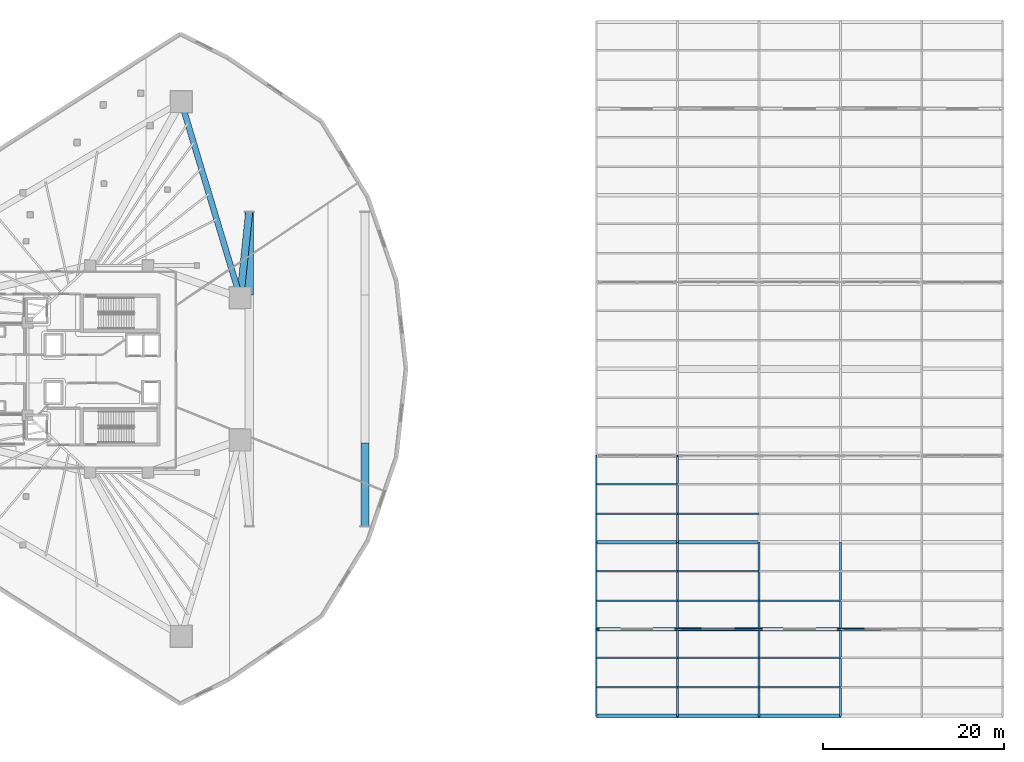
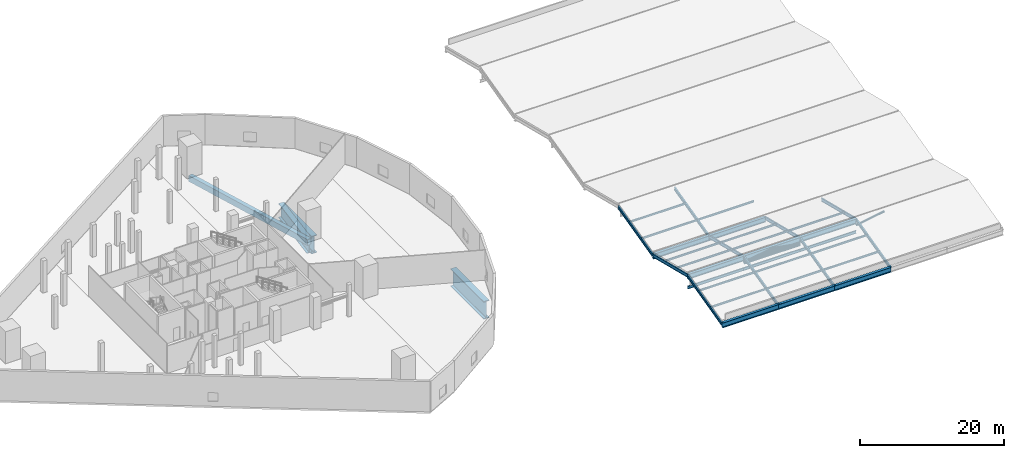
# One storey, part 2 of 36: 28 members, 15 beams.
"""IFC4 building model written with IfcOpenShell, lengths in metres."""

from ifc_helpers import new_model, si_unit, direction, frame, origin, origin_2d, place, context, subcontext, project, spatial, rectangle, hollow_circle, i_section, extrude, material, material_profile, profile_set, type_object, element, save


model = new_model("IFC4")

# Units and contexts
model_context = context("Model", 3, precision=1e-05, world=origin(), true_north=direction((0.0, 1.0)))
body_context = subcontext(model_context, "Body", "Model", "MODEL_VIEW")
ifc_project = project(units=[si_unit("LENGTHUNIT", "METRE"), si_unit("AREAUNIT", "SQUARE_METRE"), si_unit("VOLUMEUNIT", "CUBIC_METRE"), si_unit("PLANEANGLEUNIT", "RADIAN"), si_unit("MASSUNIT", "GRAM", prefix="KILO")], contexts=[model_context])

# Site, building, storey
site_placement = place(None, origin())
site = spatial("IfcSite", under=ifc_project, at=site_placement, CompositionType="ELEMENT")
building_placement = place(site_placement, origin())
building = spatial("IfcBuilding", under=site, at=building_placement, Name="Qorvath Tower", CompositionType="ELEMENT")
storey_placement = place(building_placement, frame((0.0, 0.0, 27.0)))
storey = spatial("IfcBuildingStorey", under=building, at=storey_placement, Name="L05", CompositionType="ELEMENT", Elevation=27.0)

# Beams
ifc_material_1 = material(Name="Steel ASTM A992 Grade 50", Category="steel")
ifc_material_profile_1 = material_profile(ifc_material_1, i_section(OverallWidth=0.39892578125, OverallDepth=0.85498046875, WebThickness=0.018310546875, FlangeThickness=0.029296875, FilletRadius=0.02001953125, at=origin_2d()), Name="W33x201")
ifc_profile_set_1 = profile_set([ifc_material_profile_1], Name="Steel ASTM A992 Grade 50")
beam_type_1 = type_object("IfcBeamType", Name="BM-FG2", PredefinedType="BEAM", material=ifc_profile_set_1)
for number, where, z_axis, x_axis, name in (
    (1, (32.39990234375, -38.39990234375, -0.7275390625), (1.0, 0.0, 0.0), (0.0, 1.0, 0.0), "Library Roof Fold Line Girder 1-1"),
    (2, (41.39990234375, -38.39990234375, -0.7275390625), (1.0, 0.0, 0.0), (0.0, 1.0, 0.0), "Library Roof Fold Line Girder 1-2"),
    (3, (50.39990234375, -38.39990234375, -0.7275390625), (1.0, 0.0, 0.0), (0.0, 1.0, 0.0), "Library Roof Fold Line Girder 1-3"),
    (4, (32.39990234375, -28.800048828125, 1.666015625), (1.0, 0.0, 0.0), (0.0, 1.0, 0.0), "Library Roof Fold Line Girder 2-1"),
    (5, (41.39990234375, -28.800048828125, 1.666015625), (1.0, 0.0, 0.0), (0.0, 1.0, 0.0), "Library Roof Fold Line Girder 2-2"),
    (6, (50.39990234375, -28.800048828125, 1.666015625), (1.0, 0.0, 0.0), (0.0, 1.0, 0.0), "Library Roof Fold Line Girder 2-3"),
    (7, (32.39990234375, -19.199951171875, -0.7275390625), (1.0, 0.0, 0.0), (0.0, 1.0, 0.0), "Library Roof Fold Line Girder 3-1"),
    (8, (41.39990234375, -19.199951171875, -0.7275390625), (1.0, 0.0, 0.0), (0.0, 1.0, 0.0), "Library Roof Fold Line Girder 3-2"),
):
    element("IfcBeam", number, at=place(storey_placement, frame(where, z_axis=z_axis, x_axis=x_axis)), inside=storey, type_object=beam_type_1, Name=name, PredefinedType="BEAM", context=body_context, shape_type="SweptSolid", body=[
        extrude(i_section(OverallWidth=0.39892578125, OverallDepth=0.85498046875, WebThickness=0.018310546875, FlangeThickness=0.029296875, FilletRadius=0.02001953125, at=origin_2d()), origin(), (0.0, 0.0, 1.0), 9.0),
    ])
ifc_material_2 = material(Name="Steel ASTM A992 Grade 50", Category="steel")
ifc_material_profile_2 = material_profile(ifc_material_2, i_section(OverallWidth=0.18994140625, OverallDepth=0.45703125, WebThickness=0.009033203125, FlangeThickness=0.014404296875, FilletRadius=0.011962890625, at=origin_2d()), Name="W18x50")
ifc_profile_set_2 = profile_set([ifc_material_profile_2], Name="Steel ASTM A992 Grade 50")
beam_type_2 = type_object("IfcBeamType", Name="BM-FJ2", PredefinedType="JOIST", material=ifc_profile_set_2)
for number, where, z_axis, x_axis, name in (
    (9, (32.39990234375, -28.800048828125, -0.228515625), (1.0, 0.0, 0.0), (0.0, 1.0, 0.0), "Library Clerestory Monitor Sill Beam 2-1"),
    (10, (41.39990234375, -28.800048828125, -0.228515625), (1.0, 0.0, 0.0), (0.0, 1.0, 0.0), "Library Clerestory Monitor Sill Beam 2-2"),
    (11, (50.39990234375, -28.800048828125, -0.228515625), (1.0, 0.0, 0.0), (0.0, 1.0, 0.0), "Library Clerestory Monitor Sill Beam 2-3"),
):
    element("IfcBeam", number, at=place(storey_placement, frame(where, z_axis=z_axis, x_axis=x_axis)), inside=storey, type_object=beam_type_2, Name=name, PredefinedType="JOIST", context=body_context, shape_type="SweptSolid", body=[
        extrude(i_section(OverallWidth=0.18994140625, OverallDepth=0.45703125, WebThickness=0.009033203125, FlangeThickness=0.014404296875, FilletRadius=0.011962890625, at=origin_2d()), origin(), (0.0, 0.0, 1.0), 9.0),
    ])
ifc_material_3 = material(Name="Concrete C50/60", Category="concrete")
ifc_material_profile_3 = material_profile(ifc_material_3, rectangle(XDim=0.64990234375, YDim=1.0, at=origin_2d()), Name="RCB 1000x650")
ifc_profile_set_3 = profile_set([ifc_material_profile_3], Name="Concrete C50/60")
beam_type_3 = type_object("IfcBeamType", Name="BM-RCB1", PredefinedType="SPANDREL", material=ifc_profile_set_3)
beam_1_placement = place(storey_placement, frame((-6.991943359375, 7.8720703125, -0.919921875), z_axis=(-0.288127782888, 0.957591969854, 0.0), x_axis=(-0.957591969854, -0.288127782888, 0.0)))
element("IfcBeam", 12, at=beam_1_placement, inside=storey, type_object=beam_type_3, Name="Perimeter Loggia Frame Beam MC5-MC6 L05", PredefinedType="SPANDREL", context=body_context, shape_type="SweptSolid", body=[
    extrude(rectangle(XDim=0.64990234375, YDim=1.0, at=origin_2d()), origin(), (0.0, 0.0, 1.0), 22.656982421875),
])
ifc_material_4 = material(Name="Steel ASTM A572 Grade 42", Category="steel")
ifc_material_profile_4 = material_profile(ifc_material_4, i_section(OverallWidth=0.89990234375, OverallDepth=3.0, WebThickness=0.06005859375, FlangeThickness=0.1201171875, FilletRadius=0.030029296875, at=origin_2d()), Name="WTG 3000x900")
ifc_profile_set_4 = profile_set([ifc_material_profile_4], Name="Steel ASTM A572 Grade 42")
beam_type_4 = type_object("IfcBeamType", Name="BM-TG1", PredefinedType="BEAM", material=ifc_profile_set_4)
for number, where, z_axis, x_axis, name in (
    (13, (6.800048828125, -17.39990234375, -1.919921875), (0.0, 1.0, 0.0), (-1.0, 0.0, 0.0), "L05 Arch Transfer Girder FRONT-1"),
    (14, (-6.0, 8.199951171875, -1.919921875), (0.0, 1.0, 0.0), (-1.0, 0.0, 0.0), "L05 Arch Transfer Girder INNER-3"),
):
    element("IfcBeam", number, at=place(storey_placement, frame(where, z_axis=z_axis, x_axis=x_axis)), inside=storey, type_object=beam_type_4, Name=name, PredefinedType="BEAM", context=body_context, shape_type="SweptSolid", body=[
        extrude(i_section(OverallWidth=0.89990234375, OverallDepth=3.0, WebThickness=0.06005859375, FlangeThickness=0.1201171875, FilletRadius=0.030029296875, at=origin_2d()), origin(), (0.0, 0.0, 1.0), 9.199951171875),
    ])
ifc_material_5 = material(Name="Steel ASTM A572 Grade 50", Category="steel")
ifc_material_profile_5 = material_profile(ifc_material_5, i_section(OverallWidth=0.800048828125, OverallDepth=2.39990234375, WebThickness=0.044921875, FlangeThickness=0.090087890625, FilletRadius=0.02490234375, at=origin_2d()), Name="WTG 2400x800")
ifc_profile_set_5 = profile_set([ifc_material_profile_5], Name="Steel ASTM A572 Grade 50")
beam_type_5 = type_object("IfcBeamType", Name="BM-TG2", PredefinedType="BEAM", material=ifc_profile_set_5)
beam_2_placement = place(storey_placement, frame((-6.0, 17.39990234375, -1.619873046875), z_axis=(-0.103550406229, -0.99462420711, 0.0), x_axis=(0.99462420711, -0.103550406229, 0.0)))
element("IfcBeam", 15, at=beam_2_placement, inside=storey, type_object=beam_type_5, Name="Zone Step Transfer Tie MC5 L05", PredefinedType="BEAM", context=body_context, shape_type="SweptSolid", body=[
    extrude(i_section(OverallWidth=0.800048828125, OverallDepth=2.39990234375, WebThickness=0.044921875, FlangeThickness=0.090087890625, FilletRadius=0.02490234375, at=origin_2d()), origin(), (0.0, 0.0, 1.0), 9.579345703125),
])

# Members
ifc_material_6 = material(Name="Steel ASTM A913 Grade 65", Category="steel")
ifc_material_profile_6 = material_profile(ifc_material_6, i_section(OverallWidth=0.4189453125, OverallDepth=0.455078125, WebThickness=0.0419921875, FlangeThickness=0.067626953125, FilletRadius=0.02490234375, at=origin_2d()), Name="W14x370")
ifc_profile_set_6 = profile_set([ifc_material_profile_6], Name="Steel ASTM A913 Grade 65")
member_type_1 = type_object("IfcMemberType", Name="MEM-OT2", PredefinedType="CHORD", material=ifc_profile_set_6)
member_placement = place(storey_placement, frame((41.39990234375, -28.800048828125, 0.8935546875), z_axis=(1.0, 0.0, 0.0), x_axis=(0.0, 1.0, 0.0)))
element("IfcMember", 16, at=member_placement, inside=storey, type_object=member_type_1, Name="Library Roof Truss Tie Chord 2-1", PredefinedType="CHORD", context=body_context, shape_type="SweptSolid", body=[
    extrude(i_section(OverallWidth=0.4189453125, OverallDepth=0.455078125, WebThickness=0.0419921875, FlangeThickness=0.067626953125, FilletRadius=0.02490234375, at=origin_2d()), origin(), (0.0, 0.0, 1.0), 9.0),
])
ifc_material_7 = material(Name="Steel ASTM A992 Grade 50", Category="steel")
ifc_material_profile_7 = material_profile(ifc_material_7, i_section(OverallWidth=0.1650390625, OverallDepth=0.31005859375, WebThickness=0.005859375, FlangeThickness=0.009765625, FilletRadius=0.010009765625, at=origin_2d()), Name="W12x26")
ifc_profile_set_7 = profile_set([ifc_material_profile_7], Name="Steel ASTM A992 Grade 50")
member_type_2 = type_object("IfcMemberType", Name="MEM-PR1", PredefinedType="PURLIN", material=ifc_profile_set_7)
for number, where, z_axis, x_axis, name in (
    (17, (32.39990234375, -35.23193359375, 0.357177734375), (1.0, 0.0, 0.0), (0.0, 1.0, 0.0), "Library Folded Roof Purlin F1-P1-1"),
    (18, (41.39990234375, -35.23193359375, 0.357177734375), (1.0, 0.0, 0.0), (0.0, 1.0, 0.0), "Library Folded Roof Purlin F1-P1-2"),
    (19, (50.39990234375, -35.23193359375, 0.357177734375), (1.0, 0.0, 0.0), (0.0, 1.0, 0.0), "Library Folded Roof Purlin F1-P1-3"),
    (20, (32.39990234375, -31.968017578125, 1.1708984375), (1.0, 0.0, 0.0), (0.0, 1.0, 0.0), "Library Folded Roof Purlin F1-P2-1"),
    (21, (41.39990234375, -31.968017578125, 1.1708984375), (1.0, 0.0, 0.0), (0.0, 1.0, 0.0), "Library Folded Roof Purlin F1-P2-2"),
    (22, (50.39990234375, -31.968017578125, 1.1708984375), (1.0, 0.0, 0.0), (0.0, 1.0, 0.0), "Library Folded Roof Purlin F1-P2-3"),
    (23, (32.39990234375, -25.632080078125, 1.1708984375), (1.0, 0.0, 0.0), (0.0, 1.0, 0.0), "Library Folded Roof Purlin F2-P1-1"),
    (24, (41.39990234375, -25.632080078125, 1.1708984375), (1.0, 0.0, 0.0), (0.0, 1.0, 0.0), "Library Folded Roof Purlin F2-P1-2"),
    (25, (50.39990234375, -25.632080078125, 1.1708984375), (1.0, 0.0, 0.0), (0.0, 1.0, 0.0), "Library Folded Roof Purlin F2-P1-3"),
    (26, (32.39990234375, -22.367919921875, 0.357177734375), (1.0, 0.0, 0.0), (0.0, 1.0, 0.0), "Library Folded Roof Purlin F2-P2-1"),
    (27, (41.39990234375, -22.367919921875, 0.357177734375), (1.0, 0.0, 0.0), (0.0, 1.0, 0.0), "Library Folded Roof Purlin F2-P2-2"),
    (28, (32.39990234375, -16.031982421875, 0.357177734375), (1.0, 0.0, 0.0), (0.0, 1.0, 0.0), "Library Folded Roof Purlin F3-P1-1"),
    (29, (41.39990234375, -16.031982421875, 0.357177734375), (1.0, 0.0, 0.0), (0.0, 1.0, 0.0), "Library Folded Roof Purlin F3-P1-2"),
    (30, (32.39990234375, -12.76806640625, 1.1708984375), (1.0, 0.0, 0.0), (0.0, 1.0, 0.0), "Library Folded Roof Purlin F3-P2-1"),
):
    element("IfcMember", number, at=place(storey_placement, frame(where, z_axis=z_axis, x_axis=x_axis)), inside=storey, type_object=member_type_2, Name=name, PredefinedType="PURLIN", context=body_context, shape_type="SweptSolid", body=[
        extrude(i_section(OverallWidth=0.1650390625, OverallDepth=0.31005859375, WebThickness=0.005859375, FlangeThickness=0.009765625, FilletRadius=0.010009765625, at=origin_2d()), origin(), (0.0, 0.0, 1.0), 9.0),
    ])
ifc_material_8 = material(Name="Steel ASTM A992 Grade 50", Category="steel")
ifc_material_profile_8 = material_profile(ifc_material_8, i_section(OverallWidth=0.208984375, OverallDepth=0.532958984375, WebThickness=0.01025390625, FlangeThickness=0.015625, FilletRadius=0.013916015625, at=origin_2d()), Name="W21x62")
ifc_profile_set_8 = profile_set([ifc_material_profile_8], Name="Steel ASTM A992 Grade 50")
member_type_3 = type_object("IfcMemberType", Name="MEM-RF1", PredefinedType="RAFTER", material=ifc_profile_set_8)
for number, where, z_axis, x_axis, name in (
    (31, (32.39990234375, -38.39990234375, -0.564208984375), (0.0, 0.970294720706, 0.241925928684), (-1.0, 0.0, 0.0), "Library Folded Roof Rafter F1-1"),
    (32, (41.39990234375, -38.39990234375, -0.564208984375), (0.0, 0.970294720706, 0.241925928684), (-1.0, 0.0, 0.0), "Library Folded Roof Rafter F1-2"),
    (33, (50.39990234375, -38.39990234375, -0.564208984375), (0.0, 0.970294720706, 0.241925928684), (-1.0, 0.0, 0.0), "Library Folded Roof Rafter F1-3"),
    (34, (59.39990234375, -38.39990234375, -0.564208984375), (0.0, 0.970294720706, 0.241925928684), (-1.0, 0.0, 0.0), "Library Folded Roof Rafter F1-4"),
):
    element("IfcMember", number, at=place(storey_placement, frame(where, z_axis=z_axis, x_axis=x_axis)), inside=storey, type_object=member_type_3, Name=name, PredefinedType="RAFTER", context=body_context, shape_type="SweptSolid", body=[
        extrude(i_section(OverallWidth=0.208984375, OverallDepth=0.532958984375, WebThickness=0.01025390625, FlangeThickness=0.015625, FilletRadius=0.013916015625, at=origin_2d()), origin(), (0.0, 0.0, 1.0), 9.893798828125),
    ])
for number, where, z_axis, x_axis, name in (
    (35, (32.39990234375, -28.800048828125, 1.829345703125), (0.0, 0.970296164909, -0.24192013633), (-1.0, 0.0, 0.0), "Library Folded Roof Rafter F2-1"),
    (36, (41.39990234375, -28.800048828125, 1.829345703125), (0.0, 0.970296164909, -0.24192013633), (-1.0, 0.0, 0.0), "Library Folded Roof Rafter F2-2"),
    (37, (50.39990234375, -28.800048828125, 1.829345703125), (0.0, 0.970296164909, -0.24192013633), (-1.0, 0.0, 0.0), "Library Folded Roof Rafter F2-3"),
    (38, (59.39990234375, -28.800048828125, 1.829345703125), (0.0, 0.970296164909, -0.24192013633), (-1.0, 0.0, 0.0), "Library Folded Roof Rafter F2-4"),
):
    element("IfcMember", number, at=place(storey_placement, frame(where, z_axis=z_axis, x_axis=x_axis)), inside=storey, type_object=member_type_3, Name=name, PredefinedType="RAFTER", context=body_context, shape_type="SweptSolid", body=[
        extrude(i_section(OverallWidth=0.208984375, OverallDepth=0.532958984375, WebThickness=0.01025390625, FlangeThickness=0.015625, FilletRadius=0.013916015625, at=origin_2d()), origin(), (0.0, 0.0, 1.0), 9.89404296875),
    ])
for number, where, z_axis, x_axis, name in (
    (39, (32.39990234375, -19.199951171875, -0.564208984375), (0.0, 0.970294720706, 0.241925928684), (-1.0, 0.0, 0.0), "Library Folded Roof Rafter F3-1"),
    (40, (41.39990234375, -19.199951171875, -0.564208984375), (0.0, 0.970294720706, 0.241925928684), (-1.0, 0.0, 0.0), "Library Folded Roof Rafter F3-2"),
):
    element("IfcMember", number, at=place(storey_placement, frame(where, z_axis=z_axis, x_axis=x_axis)), inside=storey, type_object=member_type_3, Name=name, PredefinedType="RAFTER", context=body_context, shape_type="SweptSolid", body=[
        extrude(i_section(OverallWidth=0.208984375, OverallDepth=0.532958984375, WebThickness=0.01025390625, FlangeThickness=0.015625, FilletRadius=0.013916015625, at=origin_2d()), origin(), (0.0, 0.0, 1.0), 9.893798828125),
    ])
ifc_material_9 = material(Name="Steel ASTM A500 Grade C", Category="steel")
ifc_material_profile_9 = material_profile(ifc_material_9, hollow_circle(Radius=0.161865234375, WallThickness=0.0126953125, at=origin_2d()), Name="CHS 324x12.7")
ifc_profile_set_9 = profile_set([ifc_material_profile_9], Name="Steel ASTM A500 Grade C")
member_type_4 = type_object("IfcMemberType", Name="MEM-ST1", PredefinedType="STRUT", material=ifc_profile_set_9)
for number, where, z_axis, x_axis, name in (
    (41, (41.39990234375, -28.800048828125, 0.8935546875), (0.985673607445, 0.0, 0.16866398426), (0.0, 1.0, 0.0), "Library Roof Truss Web 2-1A"),
    (42, (50.39990234375, -28.800048828125, 0.8935546875), (-0.985673607445, 0.0, 0.16866398426), (0.0, -1.0, 0.0), "Library Roof Truss Web 2-1B"),
    (43, (59.39990234375, -28.800048828125, 0.8935546875), (0.985673607445, 0.0, 0.16866398426), (0.0, 1.0, 0.0), "Library Roof Truss Web 2-3A"),
):
    element("IfcMember", number, at=place(storey_placement, frame(where, z_axis=z_axis, x_axis=x_axis)), inside=storey, type_object=member_type_4, Name=name, PredefinedType="STRUT", context=body_context, shape_type="SweptSolid", body=[
        extrude(hollow_circle(Radius=0.161865234375, WallThickness=0.0126953125, at=origin_2d()), origin(), (0.0, 0.0, 1.0), 4.5654296875),
    ])

save(model, "model.ifc")
